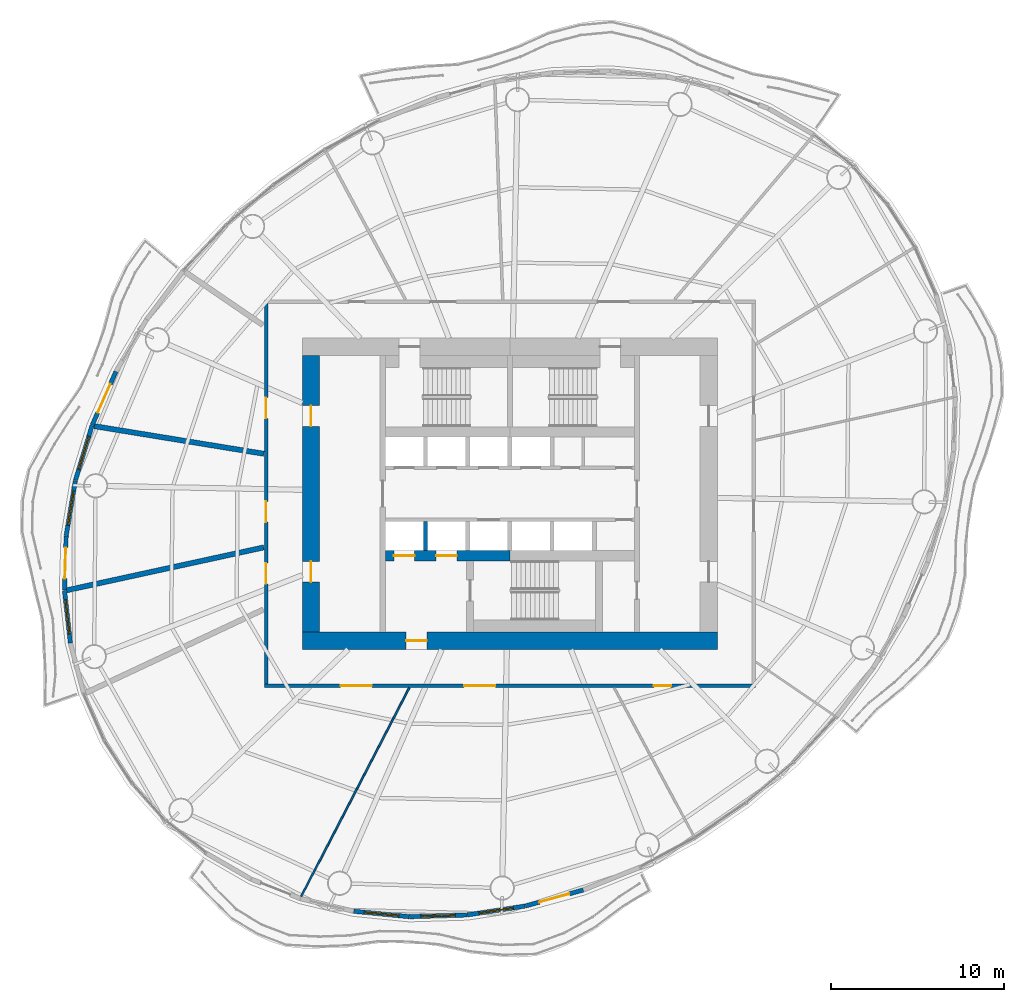
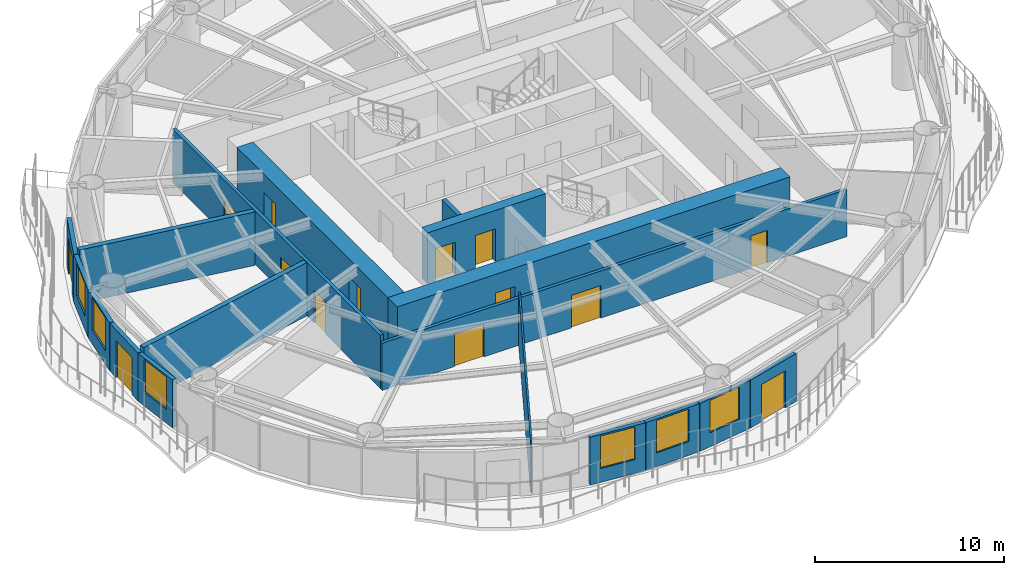
# One storey, part 8 of 15: 18 walls, 14 doors, 6 windows, 20 openings.
"""IFC4 building model written with IfcOpenShell, lengths in metres."""

from ifc_helpers import new_model, si_unit, direction, frame, frame_2d, origin, place, context, subcontext, project, spatial, rectangle, extrude, material, layer, layer_set, type_object, element, fill, save


model = new_model("IFC4")

# Units and contexts
model_context = context("Model", 3, precision=1e-05, world=origin(), true_north=direction((0.0, 1.0)))
body_context = subcontext(model_context, "Body", "Model", "MODEL_VIEW")
ifc_project = project(units=[si_unit("LENGTHUNIT", "METRE"), si_unit("AREAUNIT", "SQUARE_METRE"), si_unit("VOLUMEUNIT", "CUBIC_METRE"), si_unit("PLANEANGLEUNIT", "RADIAN"), si_unit("MASSUNIT", "GRAM", prefix="KILO")], contexts=[model_context])

# Site, building, storey
site_placement = place(None, origin())
site = spatial("IfcSite", under=ifc_project, at=site_placement, CompositionType="ELEMENT")
building_placement = place(site_placement, origin())
building = spatial("IfcBuilding", under=site, at=building_placement, Name="Vermilion Reach Broadcast Tower", CompositionType="ELEMENT")
storey_placement = place(building_placement, frame((0.0, 0.0, 183.0)))
storey = spatial("IfcBuildingStorey", under=building, at=storey_placement, Name="L44", CompositionType="ELEMENT", Elevation=183.0)

# Wall, openings, doors
ifc_material_1 = material(Name="Concrete C70", Category="concrete")
ifc_layer_1 = layer(ifc_material_1, 0.60009765625)
ifc_layer_set_1 = layer_set([ifc_layer_1], Name="Core inner wall 600 mm Concrete C70")
wall_type_1 = type_object("IfcWallType", Name="Core inner wall 600 mm Concrete C70", PredefinedType="SHEAR", material=ifc_layer_set_1)
wall_1_placement = place(storey_placement, frame((-13.199951171875, -3.580078125, 0.0), z_axis=(0.0, 0.0, 1.0), x_axis=(1.0, 0.0, 0.0)))
wall_1 = element("IfcWall", 1, at=wall_1_placement, inside=storey, type_object=wall_type_1, Name="L44 core wall wisW", PredefinedType="SHEAR", context=body_context, shape_type="SweptSolid", body=[
    extrude(rectangle(XDim=7.199951171875, YDim=0.60009765625, at=frame_2d((3.60009765625, 0.0))), origin(), (0.0, 0.0, 1.0), 3.300048828125),
])
opening_1_placement = place(wall_1_placement, frame((0.495849609375, 0.0, 0.0)))
opening_1 = element("IfcOpeningElement", 2, at=opening_1_placement, cuts=wall_1, Name="Opening LD1", PredefinedType="OPENING", context=body_context, shape_type="SweptSolid", body=[
    extrude(rectangle(XDim=1.199951171875, YDim=2.10009765625, at=frame_2d((0.60009765625, 1.050048828125))), frame((0.0, 0.31005859375, 0.0), z_axis=(0.0, -1.0, 0.0), x_axis=(1.0, 0.0, 0.0)), (0.0, 0.0, 1.0), 0.6201171875),
])
opening_2_placement = place(wall_1_placement, frame((2.9375, 0.0, 0.0)))
opening_2 = element("IfcOpeningElement", 3, at=opening_2_placement, cuts=wall_1, Name="Opening LD1", PredefinedType="OPENING", context=body_context, shape_type="SweptSolid", body=[
    extrude(rectangle(XDim=1.199951171875, YDim=2.10009765625, at=frame_2d((0.60009765625, 1.050048828125))), frame((0.0, 0.31005859375, 0.0), z_axis=(0.0, -1.0, 0.0), x_axis=(1.0, 0.0, 0.0)), (0.0, 0.0, 1.0), 0.6201171875),
])
ifc_material_2 = material(Name="Stainless steel", Category="steel")
door_type_1 = type_object("IfcDoorType", Name="Landing door 1200 x 2100", OperationType="DOUBLE_DOOR_SLIDING", PredefinedType="NOTDEFINED", material=ifc_material_2)
door_1_placement = place(opening_1_placement, origin())
door_1 = element("IfcDoor", 4, at=door_1_placement, inside=storey, type_object=door_type_1, Name="L44 landing door FF1", OperationType="DOUBLE_DOOR_SLIDING", OverallHeight=2.10009765625, OverallWidth=1.199951171875, PredefinedType="NOTDEFINED", context=body_context, shape_type="SweptSolid", body=[
    extrude(rectangle(XDim=1.199951171875, YDim=2.10009765625, at=frame_2d((0.60009765625, 1.050048828125))), frame((0.0, 0.02490234375, 0.0), z_axis=(0.0, -1.0, 0.0), x_axis=(1.0, 0.0, 0.0)), (0.0, 0.0, 1.0), 0.050048828125),
])
fill(opening_1, door_1)
door_2_placement = place(opening_2_placement, origin())
door_2 = element("IfcDoor", 5, at=door_2_placement, inside=storey, type_object=door_type_1, Name="L44 landing door FF2", OperationType="DOUBLE_DOOR_SLIDING", OverallHeight=2.10009765625, OverallWidth=1.199951171875, PredefinedType="NOTDEFINED", context=body_context, shape_type="SweptSolid", body=[
    extrude(rectangle(XDim=1.199951171875, YDim=2.10009765625, at=frame_2d((0.60009765625, 1.050048828125))), frame((0.0, 0.02490234375, 0.0), z_axis=(0.0, -1.0, 0.0), x_axis=(1.0, 0.0, 0.0)), (0.0, 0.0, 1.0), 0.050048828125),
])
fill(opening_2, door_2)

# Wall, opening, door
ifc_material_3 = material(Name="Concrete C70", Category="concrete")
ifc_layer_2 = layer(ifc_material_3, 1.0)
ifc_layer_set_2 = layer_set([ifc_layer_2], Name="Core outer wall 1000 mm Concrete C70")
wall_type_2 = type_object("IfcWallType", Name="Core outer wall 1000 mm Concrete C70", PredefinedType="SHEAR", material=ifc_layer_set_2)
wall_2_placement = place(storey_placement, frame((-18.0, -8.5, 0.0), z_axis=(0.0, 0.0, 1.0), x_axis=(1.0, 0.0, 0.0)))
wall_2 = element("IfcWall", 6, at=wall_2_placement, inside=storey, type_object=wall_type_2, Name="L44 core wall os", PredefinedType="SHEAR", context=body_context, shape_type="SweptSolid", body=[
    extrude(rectangle(XDim=24.0, YDim=1.0, at=frame_2d((12.0, 0.0))), origin(), (0.0, 0.0, 1.0), 3.300048828125),
])
opening_3_placement = place(wall_2_placement, frame((6.0, 0.0, 0.0)))
opening_3 = element("IfcOpeningElement", 7, at=opening_3_placement, cuts=wall_2, Name="Opening D02", PredefinedType="OPENING", context=body_context, shape_type="SweptSolid", body=[
    extrude(rectangle(XDim=1.199951171875, YDim=2.10009765625, at=frame_2d((0.60009765625, 1.050048828125))), frame((0.0, 0.510009765625, 0.0), z_axis=(0.0, -1.0, 0.0), x_axis=(1.0, 0.0, 0.0)), (0.0, 0.0, 1.0), 1.02001953125),
])
ifc_material_4 = material(Name="Painted steel fire door", Category="steel")
door_type_2 = type_object("IfcDoorType", Name="Firefighting lobby door 1200 x 2100", OperationType="DOUBLE_DOOR_SINGLE_SWING", PredefinedType="NOTDEFINED", material=ifc_material_4)
door_3_placement = place(opening_3_placement, origin())
door_3 = element("IfcDoor", 8, at=door_3_placement, inside=storey, type_object=door_type_2, Name="L44 ffdoor door FFL", OperationType="DOUBLE_DOOR_SINGLE_SWING", OverallHeight=2.10009765625, OverallWidth=1.199951171875, PredefinedType="NOTDEFINED", context=body_context, shape_type="SweptSolid", body=[
    extrude(rectangle(XDim=1.199951171875, YDim=2.10009765625, at=frame_2d((0.60009765625, 1.050048828125))), frame((0.0, 0.02490234375, 0.0), z_axis=(0.0, -1.0, 0.0), x_axis=(1.0, 0.0, 0.0)), (0.0, 0.0, 1.0), 0.050048828125),
])
fill(opening_3, door_3)

# Wall, openings, doors
wall_3_placement = place(storey_placement, frame((-17.5, 8.0, 0.0), z_axis=(0.0, 0.0, 1.0), x_axis=(0.0, -1.0, 0.0)))
wall_3 = element("IfcWall", 9, at=wall_3_placement, inside=storey, type_object=wall_type_2, Name="L44 core wall ow", PredefinedType="SHEAR", context=body_context, shape_type="SweptSolid", body=[
    extrude(rectangle(XDim=16.0, YDim=1.0, at=frame_2d((8.0, 0.0))), origin(), (0.0, 0.0, 1.0), 3.300048828125),
])
opening_4_placement = place(wall_3_placement, frame((11.89990234375, 0.0, 0.0)))
opening_4 = element("IfcOpeningElement", 10, at=opening_4_placement, cuts=wall_3, Name="Opening D03", PredefinedType="OPENING", context=body_context, shape_type="SweptSolid", body=[
    extrude(rectangle(XDim=1.199951171875, YDim=2.10009765625, at=frame_2d((0.60009765625, 1.050048828125))), frame((0.0, 0.510009765625, 0.0), z_axis=(0.0, -1.0, 0.0), x_axis=(1.0, 0.0, 0.0)), (0.0, 0.0, 1.0), 1.02001953125),
])
opening_5_placement = place(wall_3_placement, frame((2.89990234375, 0.0, 0.0)))
opening_5 = element("IfcOpeningElement", 11, at=opening_5_placement, cuts=wall_3, Name="Opening D03", PredefinedType="OPENING", context=body_context, shape_type="SweptSolid", body=[
    extrude(rectangle(XDim=1.199951171875, YDim=2.10009765625, at=frame_2d((0.60009765625, 1.050048828125))), frame((0.0, 0.510009765625, 0.0), z_axis=(0.0, -1.0, 0.0), x_axis=(1.0, 0.0, 0.0)), (0.0, 0.0, 1.0), 1.02001953125),
])
ifc_material_5 = material(Name="Painted steel fire door", Category="steel")
door_type_3 = type_object("IfcDoorType", Name="Core lobby door 1200 x 2100", OperationType="DOUBLE_DOOR_SINGLE_SWING", PredefinedType="NOTDEFINED", material=ifc_material_5)
door_4_placement = place(opening_4_placement, origin())
door_4 = element("IfcDoor", 12, at=door_4_placement, inside=storey, type_object=door_type_3, Name="L44 slot door W0", OperationType="DOUBLE_DOOR_SINGLE_SWING", OverallHeight=2.10009765625, OverallWidth=1.199951171875, PredefinedType="NOTDEFINED", context=body_context, shape_type="SweptSolid", body=[
    extrude(rectangle(XDim=1.199951171875, YDim=2.10009765625, at=frame_2d((0.60009765625, 1.050048828125))), frame((0.0, 0.02490234375, 0.0), z_axis=(0.0, -1.0, 0.0), x_axis=(1.0, 0.0, 0.0)), (0.0, 0.0, 1.0), 0.050048828125),
])
fill(opening_4, door_4)
door_5_placement = place(opening_5_placement, origin())
door_5 = element("IfcDoor", 13, at=door_5_placement, inside=storey, type_object=door_type_3, Name="L44 slot door W1", OperationType="DOUBLE_DOOR_SINGLE_SWING", OverallHeight=2.10009765625, OverallWidth=1.199951171875, PredefinedType="NOTDEFINED", context=body_context, shape_type="SweptSolid", body=[
    extrude(rectangle(XDim=1.199951171875, YDim=2.10009765625, at=frame_2d((0.60009765625, 1.050048828125))), frame((0.0, 0.02490234375, 0.0), z_axis=(0.0, -1.0, 0.0), x_axis=(1.0, 0.0, 0.0)), (0.0, 0.0, 1.0), 0.050048828125),
])
fill(opening_5, door_5)

# Wall
ifc_material_6 = material(Name="Concrete C50", Category="concrete")
ifc_layer_3 = layer(ifc_material_6, 0.25)
ifc_layer_set_3 = layer_set([ifc_layer_3], Name="Core shaft wall 250 mm Concrete C50")
wall_type_3 = type_object("IfcWallType", Name="Core shaft wall 250 mm Concrete C50", PredefinedType="SHEAR", material=ifc_layer_set_3)
wall_4_placement = place(storey_placement, frame((-10.88330078125, -1.60009765625, 0.0), z_axis=(0.0, 0.0, 1.0), x_axis=(0.0, -1.0, 0.0)))
element("IfcWall", 14, at=wall_4_placement, inside=storey, type_object=wall_type_3, Name="L44 core wall psS0", PredefinedType="SHEAR", context=body_context, shape_type="SweptSolid", body=[
    extrude(rectangle(XDim=1.679931640625, YDim=0.25, at=frame_2d((0.83984375, 0.0))), origin(), (0.0, 0.0, 1.0), 3.300048828125),
])

# Wall, openings, doors
ifc_material_7 = material(Name="Fire-rated gypsum board partition")
ifc_layer_4 = layer(ifc_material_7, 0.199951171875)
ifc_layer_set_4 = layer_set([ifc_layer_4], Name="Corridor wall 200 fire-rated")
wall_type_4 = type_object("IfcWallType", Name="Corridor wall 200 fire-rated", PredefinedType="PARTITIONING", material=ifc_layer_set_4)
wall_5_placement = place(storey_placement, frame((-20.10009765625, -11.0, 0.0), z_axis=(0.0, 0.0, 1.0), x_axis=(0.0, 1.0, 0.0)))
wall_5 = element("IfcWall", 15, at=wall_5_placement, inside=storey, type_object=wall_type_4, Name="Corridor wall 44.W", PredefinedType="PARTITIONING", context=body_context, shape_type="SweptSolid", body=[
    extrude(rectangle(XDim=22.0, YDim=0.199951171875, at=frame_2d((11.0, 0.0))), origin(), (0.0, 0.0, 1.0), 3.449951171875),
])
opening_6_placement = place(wall_5_placement, frame((15.3701171875, 0.0, 0.0)))
opening_6 = element("IfcOpeningElement", 16, at=opening_6_placement, cuts=wall_5, Name="Opening D26", PredefinedType="OPENING", context=body_context, shape_type="SweptSolid", body=[
    extrude(rectangle(XDim=1.199951171875, YDim=2.10009765625, at=frame_2d((0.60009765625, 1.050048828125))), frame((0.0, 0.10986328125, 0.0), z_axis=(0.0, -1.0, 0.0), x_axis=(1.0, 0.0, 0.0)), (0.0, 0.0, 1.0), 0.219970703125),
])
opening_7_placement = place(wall_5_placement, frame((9.370361328125, 0.0, 0.0)))
opening_7 = element("IfcOpeningElement", 17, at=opening_7_placement, cuts=wall_5, Name="Opening D26", PredefinedType="OPENING", context=body_context, shape_type="SweptSolid", body=[
    extrude(rectangle(XDim=1.199951171875, YDim=2.10009765625, at=frame_2d((0.60009765625, 1.050048828125))), frame((0.0, 0.10986328125, 0.0), z_axis=(0.0, -1.0, 0.0), x_axis=(1.0, 0.0, 0.0)), (0.0, 0.0, 1.0), 0.219970703125),
])
opening_8_placement = place(wall_5_placement, frame((5.796875, 0.0, 0.0)))
opening_8 = element("IfcOpeningElement", 18, at=opening_8_placement, cuts=wall_5, Name="Opening D26", PredefinedType="OPENING", context=body_context, shape_type="SweptSolid", body=[
    extrude(rectangle(XDim=1.199951171875, YDim=2.10009765625, at=frame_2d((0.60009765625, 1.050048828125))), frame((0.0, 0.10986328125, 0.0), z_axis=(0.0, -1.0, 0.0), x_axis=(1.0, 0.0, 0.0)), (0.0, 0.0, 1.0), 0.219970703125),
])
ifc_material_8 = material(Name="Acoustic timber door leaf", Category="wood")
door_type_4 = type_object("IfcDoorType", Name="Door single 1200x2100", OperationType="NOTDEFINED", PredefinedType="DOOR", material=ifc_material_8)
door_6_placement = place(opening_6_placement, origin())
door_6 = element("IfcDoor", 19, at=door_6_placement, inside=storey, type_object=door_type_4, Name="Door 44.04", OperationType="SINGLE_SWING_LEFT", OverallHeight=2.10009765625, OverallWidth=1.199951171875, PredefinedType="DOOR", context=body_context, shape_type="SweptSolid", body=[
    extrude(rectangle(XDim=1.199951171875, YDim=2.10009765625, at=frame_2d((0.60009765625, 1.050048828125))), frame((0.0, 0.02490234375, 0.0), z_axis=(0.0, -1.0, 0.0), x_axis=(1.0, 0.0, 0.0)), (0.0, 0.0, 1.0), 0.050048828125),
])
fill(opening_6, door_6)
door_7_placement = place(opening_7_placement, origin())
door_7 = element("IfcDoor", 20, at=door_7_placement, inside=storey, type_object=door_type_4, Name="Door 44.05", OperationType="SINGLE_SWING_LEFT", OverallHeight=2.10009765625, OverallWidth=1.199951171875, PredefinedType="DOOR", context=body_context, shape_type="SweptSolid", body=[
    extrude(rectangle(XDim=1.199951171875, YDim=2.10009765625, at=frame_2d((0.60009765625, 1.050048828125))), frame((0.0, 0.02490234375, 0.0), z_axis=(0.0, -1.0, 0.0), x_axis=(1.0, 0.0, 0.0)), (0.0, 0.0, 1.0), 0.050048828125),
])
fill(opening_7, door_7)
door_8_placement = place(opening_8_placement, origin())
door_8 = element("IfcDoor", 21, at=door_8_placement, inside=storey, type_object=door_type_4, Name="Door 44.06", OperationType="SINGLE_SWING_RIGHT", OverallHeight=2.10009765625, OverallWidth=1.199951171875, PredefinedType="DOOR", context=body_context, shape_type="SweptSolid", body=[
    extrude(rectangle(XDim=1.199951171875, YDim=2.10009765625, at=frame_2d((0.60009765625, 1.050048828125))), frame((0.0, 0.02490234375, 0.0), z_axis=(0.0, -1.0, 0.0), x_axis=(1.0, 0.0, 0.0)), (0.0, 0.0, 1.0), 0.050048828125),
])
fill(opening_8, door_8)

# Walls
ifc_material_9 = material(Name="Plasterboard on steel stud", Category="steel")
ifc_layer_5 = layer(ifc_material_9, 0.10009765625)
ifc_layer_set_5 = layer_set([ifc_layer_5], Name="Partition 100 steel stud")
wall_type_5 = type_object("IfcWallType", Name="Partition 100 steel stud", PredefinedType="PARTITIONING", material=ifc_layer_set_5)
wall_6_placement = place(storey_placement, frame((-18.072998046875, -23.29150390625, 0.0), z_axis=(0.0, 0.0, 1.0), x_axis=(0.460190817997, 0.88782003302, 0.0)))
element("IfcWall", 22, at=wall_6_placement, inside=storey, type_object=wall_type_5, Name="Partition 44.08", PredefinedType="PARTITIONING", context=body_context, shape_type="SweptSolid", body=[
    extrude(rectangle(XDim=13.593505859375, YDim=0.10009765625, at=frame_2d((6.796875, 0.0))), origin(), (0.0, 0.0, 1.0), 3.449951171875),
])
ifc_material_10 = material(Name="Double-leaf plasterboard on isolated steel stud", Category="steel")
ifc_layer_6 = layer(ifc_material_10, 0.300048828125)
ifc_layer_set_6 = layer_set([ifc_layer_6], Name="Partition 300 acoustic double leaf")
wall_type_6 = type_object("IfcWallType", Name="Partition 300 acoustic double leaf", PredefinedType="PARTITIONING", material=ifc_layer_set_6)
wall_7_placement = place(storey_placement, frame((-30.04345703125, 3.916259765625, 0.0), z_axis=(0.0, 0.0, 1.0), x_axis=(0.986993418954, -0.16076066354, 0.0)))
element("IfcWall", 23, at=wall_7_placement, inside=storey, type_object=wall_type_6, Name="Partition 44.05", PredefinedType="PARTITIONING", context=body_context, shape_type="SweptSolid", body=[
    extrude(rectangle(XDim=9.94873046875, YDim=0.300048828125, at=frame_2d((4.974365234375, 0.0))), origin(), (0.0, 0.0, 1.0), 3.449951171875),
])
wall_8_placement = place(storey_placement, frame((-31.63427734375, -5.57958984375, 0.0), z_axis=(0.0, 0.0, 1.0), x_axis=(0.977120060492, 0.212688474969, 0.0)))
element("IfcWall", 24, at=wall_8_placement, inside=storey, type_object=wall_type_6, Name="Partition 44.06", PredefinedType="PARTITIONING", context=body_context, shape_type="SweptSolid", body=[
    extrude(rectangle(XDim=11.66943359375, YDim=0.300048828125, at=frame_2d((5.834716796875, 0.0))), origin(), (0.0, 0.0, 1.0), 3.449951171875),
])

# Wall, opening, door
ifc_material_11 = material(Name="Terracotta rainscreen cladding", Category="masonry")
ifc_layer_7 = layer(ifc_material_11, 0.25)
ifc_layer_set_7 = layer_set([ifc_layer_7], Name="Terracotta rainscreen wall 250")
wall_type_7 = type_object("IfcWallType", Name="Terracotta rainscreen wall 250", PredefinedType="SOLIDWALL", material=ifc_layer_set_7)
wall_9_placement = place(storey_placement, frame((-28.784423828125, 7.071533203125, 0.0), z_axis=(0.0, 0.0, 1.0), x_axis=(-0.404494434215, -0.914540459843, 0.0)))
wall_9 = element("IfcWall", 25, at=wall_9_placement, inside=storey, type_object=wall_type_7, Name="External wall L44 16", PredefinedType="SOLIDWALL", context=body_context, shape_type="SweptSolid", body=[
    extrude(rectangle(XDim=3.390869140625, YDim=0.25, at=frame_2d((1.6953125, 0.0))), origin(), (0.0, 0.0, 1.0), 3.10009765625),
])
opening_9_placement = place(wall_9_placement, frame((0.794921875, 0.0, 0.0)))
opening_9 = element("IfcOpeningElement", 26, at=opening_9_placement, cuts=wall_9, Name="Opening D70", PredefinedType="OPENING", context=body_context, shape_type="SweptSolid", body=[
    extrude(rectangle(XDim=1.800048828125, YDim=2.39990234375, at=frame_2d((0.89990234375, 1.199951171875))), frame((0.0, 0.135009765625, 0.0), z_axis=(0.0, -1.0, 0.0), x_axis=(1.0, 0.0, 0.0)), (0.0, 0.0, 1.0), 0.27001953125),
])
ifc_material_12 = material(Name="Low-e laminated clear glass in aluminium frame", Category="aluminium")
door_type_5 = type_object("IfcDoorType", Name="Balcony sliding door 1800 x 2400", OperationType="DOUBLE_DOOR_SLIDING", PredefinedType="DOOR", material=ifc_material_12)
door_9_placement = place(opening_9_placement, origin())
door_9 = element("IfcDoor", 27, at=door_9_placement, inside=storey, type_object=door_type_5, Name="Balcony door L44 run 04", OperationType="DOUBLE_DOOR_SLIDING", OverallHeight=2.39990234375, OverallWidth=1.800048828125, PredefinedType="DOOR", context=body_context, shape_type="SweptSolid", body=[
    extrude(rectangle(XDim=1.800048828125, YDim=2.39990234375, at=frame_2d((0.89990234375, 1.199951171875))), frame((0.0, 0.02490234375, 0.0), z_axis=(0.0, -1.0, 0.0), x_axis=(1.0, 0.0, 0.0)), (0.0, 0.0, 1.0), 0.050048828125),
])
fill(opening_9, door_9)

# Wall, opening, window
wall_10_placement = place(storey_placement, frame((-30.1640625, 3.94873046875, 0.0), z_axis=(0.0, 0.0, 1.0), x_axis=(-0.290048362563, -0.957011989149, 0.0)))
wall_10 = element("IfcWall", 28, at=wall_10_placement, inside=storey, type_object=wall_type_7, Name="External wall L44 17", PredefinedType="SOLIDWALL", context=body_context, shape_type="SweptSolid", body=[
    extrude(rectangle(XDim=3.307861328125, YDim=0.25, at=frame_2d((1.65380859375, 0.0))), origin(), (0.0, 0.0, 1.0), 3.10009765625),
])
opening_10_placement = place(wall_10_placement, frame((0.654052734375, 0.0, 0.89990234375)))
opening_10 = element("IfcOpeningElement", 29, at=opening_10_placement, cuts=wall_10, Name="Opening W03", PredefinedType="OPENING", context=body_context, shape_type="SweptSolid", body=[
    extrude(rectangle(XDim=2.0, YDim=2.10009765625, at=frame_2d((1.0, 1.050048828125))), frame((0.0, 0.135009765625, 0.0), z_axis=(0.0, -1.0, 0.0), x_axis=(1.0, 0.0, 0.0)), (0.0, 0.0, 1.0), 0.27001953125),
])
ifc_material_13 = material(Name="Low-e laminated clear glass in aluminium frame", Category="aluminium")
window_type = type_object("IfcWindowType", Name="Punched window 2000 x 2100 sill 900", PartitioningType="SINGLE_PANEL", PredefinedType="WINDOW", material=ifc_material_13)
window_1_placement = place(opening_10_placement, origin())
window_1 = element("IfcWindow", 30, at=window_1_placement, inside=storey, type_object=window_type, Name="Window L44 17", OverallHeight=2.10009765625, OverallWidth=2.0, PartitioningType="SINGLE_PANEL", PredefinedType="WINDOW", context=body_context, shape_type="SweptSolid", body=[
    extrude(rectangle(XDim=2.0, YDim=2.10009765625, at=frame_2d((1.0, 1.050048828125))), frame((0.0, 0.030029296875, 0.0), z_axis=(0.0, -1.0, 0.0), x_axis=(1.0, 0.0, 0.0)), (0.0, 0.0, 1.0), 0.06005859375),
])
fill(opening_10, window_1)

wall_11_placement = place(storey_placement, frame((-31.12890625, 0.759521484375, 0.0), z_axis=(0.0, 0.0, 1.0), x_axis=(-0.165062898456, -0.986283042313, 0.0)))
wall_11 = element("IfcWall", 31, at=wall_11_placement, inside=storey, type_object=wall_type_7, Name="External wall L44 18", PredefinedType="SOLIDWALL", context=body_context, shape_type="SweptSolid", body=[
    extrude(rectangle(XDim=3.219970703125, YDim=0.25, at=frame_2d((1.60986328125, 0.0))), origin(), (0.0, 0.0, 1.0), 3.10009765625),
])
opening_11_placement = place(wall_11_placement, frame((0.60986328125, 0.0, 0.89990234375)))
opening_11 = element("IfcOpeningElement", 32, at=opening_11_placement, cuts=wall_11, Name="Opening W03", PredefinedType="OPENING", context=body_context, shape_type="SweptSolid", body=[
    extrude(rectangle(XDim=2.0, YDim=2.10009765625, at=frame_2d((1.0, 1.050048828125))), frame((0.0, 0.135009765625, 0.0), z_axis=(0.0, -1.0, 0.0), x_axis=(1.0, 0.0, 0.0)), (0.0, 0.0, 1.0), 0.27001953125),
])
window_2_placement = place(opening_11_placement, origin())
window_2 = element("IfcWindow", 33, at=window_2_placement, inside=storey, type_object=window_type, Name="Window L44 18", OverallHeight=2.10009765625, OverallWidth=2.0, PartitioningType="SINGLE_PANEL", PredefinedType="WINDOW", context=body_context, shape_type="SweptSolid", body=[
    extrude(rectangle(XDim=2.0, YDim=2.10009765625, at=frame_2d((1.0, 1.050048828125))), frame((0.0, 0.030029296875, 0.0), z_axis=(0.0, -1.0, 0.0), x_axis=(1.0, 0.0, 0.0)), (0.0, 0.0, 1.0), 0.06005859375),
])
fill(opening_11, window_2)

# Wall, opening, door
wall_12_placement = place(storey_placement, frame((-31.662841796875, -2.44091796875, 0.0), z_axis=(0.0, 0.0, 1.0), x_axis=(-0.030631283966, -0.999530752125, 0.0)))
wall_12 = element("IfcWall", 34, at=wall_12_placement, inside=storey, type_object=wall_type_7, Name="External wall L44 19", PredefinedType="SOLIDWALL", context=body_context, shape_type="SweptSolid", body=[
    extrude(rectangle(XDim=3.13232421875, YDim=0.25, at=frame_2d((1.566162109375, 0.0))), origin(), (0.0, 0.0, 1.0), 3.10009765625),
])
opening_12_placement = place(wall_12_placement, frame((0.666015625, 0.0, 0.0)))
opening_12 = element("IfcOpeningElement", 35, at=opening_12_placement, cuts=wall_12, Name="Opening D70", PredefinedType="OPENING", context=body_context, shape_type="SweptSolid", body=[
    extrude(rectangle(XDim=1.800048828125, YDim=2.39990234375, at=frame_2d((0.89990234375, 1.199951171875))), frame((0.0, 0.135009765625, 0.0), z_axis=(0.0, -1.0, 0.0), x_axis=(1.0, 0.0, 0.0)), (0.0, 0.0, 1.0), 0.27001953125),
])
door_10_placement = place(opening_12_placement, origin())
door_10 = element("IfcDoor", 36, at=door_10_placement, inside=storey, type_object=door_type_5, Name="Balcony door L44 run 05", OperationType="DOUBLE_DOOR_SLIDING", OverallHeight=2.39990234375, OverallWidth=1.800048828125, PredefinedType="DOOR", context=body_context, shape_type="SweptSolid", body=[
    extrude(rectangle(XDim=1.800048828125, YDim=2.39990234375, at=frame_2d((0.89990234375, 1.199951171875))), frame((0.0, 0.02490234375, 0.0), z_axis=(0.0, -1.0, 0.0), x_axis=(1.0, 0.0, 0.0)), (0.0, 0.0, 1.0), 0.050048828125),
])
fill(opening_12, door_10)

# Wall, opening, window
wall_13_placement = place(storey_placement, frame((-31.7578125, -5.597412109375, 0.0), z_axis=(0.0, 0.0, 1.0), x_axis=(0.111450096945, -0.993770031693, 0.0)))
wall_13 = element("IfcWall", 37, at=wall_13_placement, inside=storey, type_object=wall_type_7, Name="External wall L44 20", PredefinedType="SOLIDWALL", context=body_context, shape_type="SweptSolid", body=[
    extrude(rectangle(XDim=3.051513671875, YDim=0.25, at=frame_2d((1.52587890625, 0.0))), origin(), (0.0, 0.0, 1.0), 3.10009765625),
])
opening_13_placement = place(wall_13_placement, frame((0.525634765625, 0.0, 0.89990234375)))
opening_13 = element("IfcOpeningElement", 38, at=opening_13_placement, cuts=wall_13, Name="Opening W03", PredefinedType="OPENING", context=body_context, shape_type="SweptSolid", body=[
    extrude(rectangle(XDim=2.0, YDim=2.10009765625, at=frame_2d((1.0, 1.050048828125))), frame((0.0, 0.135009765625, 0.0), z_axis=(0.0, -1.0, 0.0), x_axis=(1.0, 0.0, 0.0)), (0.0, 0.0, 1.0), 0.27001953125),
])
window_3_placement = place(opening_13_placement, origin())
window_3 = element("IfcWindow", 39, at=window_3_placement, inside=storey, type_object=window_type, Name="Window L44 20", OverallHeight=2.10009765625, OverallWidth=2.0, PartitioningType="SINGLE_PANEL", PredefinedType="WINDOW", context=body_context, shape_type="SweptSolid", body=[
    extrude(rectangle(XDim=2.0, YDim=2.10009765625, at=frame_2d((1.0, 1.050048828125))), frame((0.0, 0.030029296875, 0.0), z_axis=(0.0, -1.0, 0.0), x_axis=(1.0, 0.0, 0.0)), (0.0, 0.0, 1.0), 0.06005859375),
])
fill(opening_13, window_3)

wall_14_placement = place(storey_placement, frame((-15.02587890625, -24.141845703125, 0.0), z_axis=(0.0, 0.0, 1.0), x_axis=(0.995197289781, -0.097889501037, 0.0)))
wall_14 = element("IfcWall", 40, at=wall_14_placement, inside=storey, type_object=wall_type_7, Name="External wall L44 29", PredefinedType="SOLIDWALL", context=body_context, shape_type="SweptSolid", body=[
    extrude(rectangle(XDim=3.2197265625, YDim=0.25, at=frame_2d((1.60986328125, 0.0))), origin(), (0.0, 0.0, 1.0), 3.10009765625),
])
opening_14_placement = place(wall_14_placement, frame((0.60986328125, 0.0, 0.89990234375)))
opening_14 = element("IfcOpeningElement", 41, at=opening_14_placement, cuts=wall_14, Name="Opening W03", PredefinedType="OPENING", context=body_context, shape_type="SweptSolid", body=[
    extrude(rectangle(XDim=2.0, YDim=2.10009765625, at=frame_2d((1.0, 1.050048828125))), frame((0.0, 0.135009765625, 0.0), z_axis=(0.0, -1.0, 0.0), x_axis=(1.0, 0.0, 0.0)), (0.0, 0.0, 1.0), 0.27001953125),
])
window_4_placement = place(opening_14_placement, origin())
window_4 = element("IfcWindow", 42, at=window_4_placement, inside=storey, type_object=window_type, Name="Window L44 29", OverallHeight=2.10009765625, OverallWidth=2.0, PartitioningType="SINGLE_PANEL", PredefinedType="WINDOW", context=body_context, shape_type="SweptSolid", body=[
    extrude(rectangle(XDim=2.0, YDim=2.10009765625, at=frame_2d((1.0, 1.050048828125))), frame((0.0, 0.030029296875, 0.0), z_axis=(0.0, -1.0, 0.0), x_axis=(1.0, 0.0, 0.0)), (0.0, 0.0, 1.0), 0.06005859375),
])
fill(opening_14, window_4)

wall_15_placement = place(storey_placement, frame((-11.79736328125, -24.4580078125, 0.0), z_axis=(0.0, 0.0, 1.0), x_axis=(0.999539823928, 0.030333815819, 0.0)))
wall_15 = element("IfcWall", 43, at=wall_15_placement, inside=storey, type_object=wall_type_7, Name="External wall L44 30", PredefinedType="SOLIDWALL", context=body_context, shape_type="SweptSolid", body=[
    extrude(rectangle(XDim=3.307861328125, YDim=0.25, at=frame_2d((1.65380859375, 0.0))), origin(), (0.0, 0.0, 1.0), 3.10009765625),
])
opening_15_placement = place(wall_15_placement, frame((0.654052734375, 0.0, 0.89990234375)))
opening_15 = element("IfcOpeningElement", 44, at=opening_15_placement, cuts=wall_15, Name="Opening W03", PredefinedType="OPENING", context=body_context, shape_type="SweptSolid", body=[
    extrude(rectangle(XDim=2.0, YDim=2.10009765625, at=frame_2d((1.0, 1.050048828125))), frame((0.0, 0.135009765625, 0.0), z_axis=(0.0, -1.0, 0.0), x_axis=(1.0, 0.0, 0.0)), (0.0, 0.0, 1.0), 0.27001953125),
])
window_5_placement = place(opening_15_placement, origin())
window_5 = element("IfcWindow", 45, at=window_5_placement, inside=storey, type_object=window_type, Name="Window L44 30", OverallHeight=2.10009765625, OverallWidth=2.0, PartitioningType="SINGLE_PANEL", PredefinedType="WINDOW", context=body_context, shape_type="SweptSolid", body=[
    extrude(rectangle(XDim=2.0, YDim=2.10009765625, at=frame_2d((1.0, 1.050048828125))), frame((0.0, 0.030029296875, 0.0), z_axis=(0.0, -1.0, 0.0), x_axis=(1.0, 0.0, 0.0)), (0.0, 0.0, 1.0), 0.06005859375),
])
fill(opening_15, window_5)

wall_16_placement = place(storey_placement, frame((-8.4677734375, -24.35546875, 0.0), z_axis=(0.0, 0.0, 1.0), x_axis=(0.988391666962, 0.151927326968, 0.0)))
wall_16 = element("IfcWall", 46, at=wall_16_placement, inside=storey, type_object=wall_type_7, Name="External wall L44 31", PredefinedType="SOLIDWALL", context=body_context, shape_type="SweptSolid", body=[
    extrude(rectangle(XDim=3.390625, YDim=0.25, at=frame_2d((1.6953125, 0.0))), origin(), (0.0, 0.0, 1.0), 3.10009765625),
])
opening_16_placement = place(wall_16_placement, frame((0.6953125, 0.0, 0.89990234375)))
opening_16 = element("IfcOpeningElement", 47, at=opening_16_placement, cuts=wall_16, Name="Opening W03", PredefinedType="OPENING", context=body_context, shape_type="SweptSolid", body=[
    extrude(rectangle(XDim=2.0, YDim=2.10009765625, at=frame_2d((1.0, 1.050048828125))), frame((0.0, 0.135009765625, 0.0), z_axis=(0.0, -1.0, 0.0), x_axis=(1.0, 0.0, 0.0)), (0.0, 0.0, 1.0), 0.27001953125),
])
window_6_placement = place(opening_16_placement, origin())
window_6 = element("IfcWindow", 48, at=window_6_placement, inside=storey, type_object=window_type, Name="Window L44 31", OverallHeight=2.10009765625, OverallWidth=2.0, PartitioningType="SINGLE_PANEL", PredefinedType="WINDOW", context=body_context, shape_type="SweptSolid", body=[
    extrude(rectangle(XDim=2.0, YDim=2.10009765625, at=frame_2d((1.0, 1.050048828125))), frame((0.0, 0.030029296875, 0.0), z_axis=(0.0, -1.0, 0.0), x_axis=(1.0, 0.0, 0.0)), (0.0, 0.0, 1.0), 0.06005859375),
])
fill(opening_16, window_6)

# Wall, opening, door
wall_17_placement = place(storey_placement, frame((-5.09423828125, -23.835693359375, 0.0), z_axis=(0.0, 0.0, 1.0), x_axis=(0.963922792933, 0.266181985236, 0.0)))
wall_17 = element("IfcWall", 49, at=wall_17_placement, inside=storey, type_object=wall_type_7, Name="External wall L44 32", PredefinedType="SOLIDWALL", context=body_context, shape_type="SweptSolid", body=[
    extrude(rectangle(XDim=3.46337890625, YDim=0.25, at=frame_2d((1.731689453125, 0.0))), origin(), (0.0, 0.0, 1.0), 3.10009765625),
])
opening_17_placement = place(wall_17_placement, frame((0.83203125, 0.0, 0.0)))
opening_17 = element("IfcOpeningElement", 50, at=opening_17_placement, cuts=wall_17, Name="Opening D70", PredefinedType="OPENING", context=body_context, shape_type="SweptSolid", body=[
    extrude(rectangle(XDim=1.800048828125, YDim=2.39990234375, at=frame_2d((0.89990234375, 1.199951171875))), frame((0.0, 0.135009765625, 0.0), z_axis=(0.0, -1.0, 0.0), x_axis=(1.0, 0.0, 0.0)), (0.0, 0.0, 1.0), 0.27001953125),
])
door_11_placement = place(opening_17_placement, origin())
door_11 = element("IfcDoor", 51, at=door_11_placement, inside=storey, type_object=door_type_5, Name="Balcony door L44 run 08", OperationType="DOUBLE_DOOR_SLIDING", OverallHeight=2.39990234375, OverallWidth=1.800048828125, PredefinedType="DOOR", context=body_context, shape_type="SweptSolid", body=[
    extrude(rectangle(XDim=1.800048828125, YDim=2.39990234375, at=frame_2d((0.89990234375, 1.199951171875))), frame((0.0, 0.02490234375, 0.0), z_axis=(0.0, -1.0, 0.0), x_axis=(1.0, 0.0, 0.0)), (0.0, 0.0, 1.0), 0.050048828125),
])
fill(opening_17, door_11)

# Wall, openings, doors
ifc_material_14 = material(Name="Fire-rated gypsum board partition")
ifc_layer_8 = layer(ifc_material_14, 0.199951171875)
ifc_layer_set_8 = layer_set([ifc_layer_8], Name="Under girder: Corridor wall 200 fire-rated")
wall_type_8 = type_object("IfcWallType", Name="Under girder: Corridor wall 200 fire-rated", PredefinedType="PARTITIONING", material=ifc_layer_set_8)
wall_18_placement = place(storey_placement, frame((8.199951171875, -11.10009765625, 0.0), z_axis=(0.0, 0.0, 1.0), x_axis=(-1.0, 0.0, 0.0)))
wall_18 = element("IfcWall", 52, at=wall_18_placement, inside=storey, type_object=wall_type_8, Name="Corridor wall 44.S", PredefinedType="PARTITIONING", context=body_context, shape_type="SweptSolid", body=[
    extrude(rectangle(XDim=28.39990234375, YDim=0.199951171875, at=frame_2d((14.199951171875, 0.0))), origin(), (0.0, 0.0, 1.0), 3.050048828125),
])
opening_18_placement = place(wall_18_placement, frame((22.183837890625, 0.0, 0.0)))
opening_18 = element("IfcOpeningElement", 53, at=opening_18_placement, cuts=wall_18, Name="Opening D21", PredefinedType="OPENING", context=body_context, shape_type="SweptSolid", body=[
    extrude(rectangle(XDim=1.800048828125, YDim=2.10009765625, at=frame_2d((0.89990234375, 1.050048828125))), frame((0.0, 0.10986328125, 0.0), z_axis=(0.0, -1.0, 0.0), x_axis=(1.0, 0.0, 0.0)), (0.0, 0.0, 1.0), 0.219970703125),
])
opening_19_placement = place(wall_18_placement, frame((15.037841796875, 0.0, 0.0)))
opening_19 = element("IfcOpeningElement", 54, at=opening_19_placement, cuts=wall_18, Name="Opening D21", PredefinedType="OPENING", context=body_context, shape_type="SweptSolid", body=[
    extrude(rectangle(XDim=1.800048828125, YDim=2.10009765625, at=frame_2d((0.89990234375, 1.050048828125))), frame((0.0, 0.10986328125, 0.0), z_axis=(0.0, -1.0, 0.0), x_axis=(1.0, 0.0, 0.0)), (0.0, 0.0, 1.0), 0.219970703125),
])
opening_20_placement = place(wall_18_placement, frame((4.8662109375, 0.0, 0.0)))
opening_20 = element("IfcOpeningElement", 55, at=opening_20_placement, cuts=wall_18, Name="Opening D20", PredefinedType="OPENING", context=body_context, shape_type="SweptSolid", body=[
    extrude(rectangle(XDim=1.0, YDim=2.10009765625, at=frame_2d((0.5, 1.050048828125))), frame((0.0, 0.10986328125, 0.0), z_axis=(0.0, -1.0, 0.0), x_axis=(1.0, 0.0, 0.0)), (0.0, 0.0, 1.0), 0.219970703125),
])
ifc_material_15 = material(Name="Timber door leaf", Category="wood")
door_type_6 = type_object("IfcDoorType", Name="Door pair 1800x2100", OperationType="NOTDEFINED", PredefinedType="DOOR", material=ifc_material_15)
door_12_placement = place(opening_18_placement, origin())
door_12 = element("IfcDoor", 56, at=door_12_placement, inside=storey, type_object=door_type_6, Name="Door 44.07", OperationType="DOUBLE_DOOR_SINGLE_SWING", OverallHeight=2.10009765625, OverallWidth=1.800048828125, PredefinedType="DOOR", context=body_context, shape_type="SweptSolid", body=[
    extrude(rectangle(XDim=1.800048828125, YDim=2.10009765625, at=frame_2d((0.89990234375, 1.050048828125))), frame((0.0, 0.02490234375, 0.0), z_axis=(0.0, -1.0, 0.0), x_axis=(1.0, 0.0, 0.0)), (0.0, 0.0, 1.0), 0.050048828125),
])
fill(opening_18, door_12)
door_13_placement = place(opening_19_placement, origin())
door_13 = element("IfcDoor", 57, at=door_13_placement, inside=storey, type_object=door_type_6, Name="Door 44.08", OperationType="DOUBLE_DOOR_SINGLE_SWING", OverallHeight=2.10009765625, OverallWidth=1.800048828125, PredefinedType="DOOR", context=body_context, shape_type="SweptSolid", body=[
    extrude(rectangle(XDim=1.800048828125, YDim=2.10009765625, at=frame_2d((0.89990234375, 1.050048828125))), frame((0.0, 0.02490234375, 0.0), z_axis=(0.0, -1.0, 0.0), x_axis=(1.0, 0.0, 0.0)), (0.0, 0.0, 1.0), 0.050048828125),
])
fill(opening_19, door_13)
ifc_material_16 = material(Name="Timber door leaf", Category="wood")
door_type_7 = type_object("IfcDoorType", Name="Door single 1000x2100", OperationType="NOTDEFINED", PredefinedType="DOOR", material=ifc_material_16)
door_14_placement = place(opening_20_placement, origin())
door_14 = element("IfcDoor", 58, at=door_14_placement, inside=storey, type_object=door_type_7, Name="Door 44.09", OperationType="SINGLE_SWING_RIGHT", OverallHeight=2.10009765625, OverallWidth=1.0, PredefinedType="DOOR", context=body_context, shape_type="SweptSolid", body=[
    extrude(rectangle(XDim=1.0, YDim=2.10009765625, at=frame_2d((0.5, 1.050048828125))), frame((0.0, 0.02490234375, 0.0), z_axis=(0.0, -1.0, 0.0), x_axis=(1.0, 0.0, 0.0)), (0.0, 0.0, 1.0), 0.050048828125),
])
fill(opening_20, door_14)

save(model, "model.ifc")
